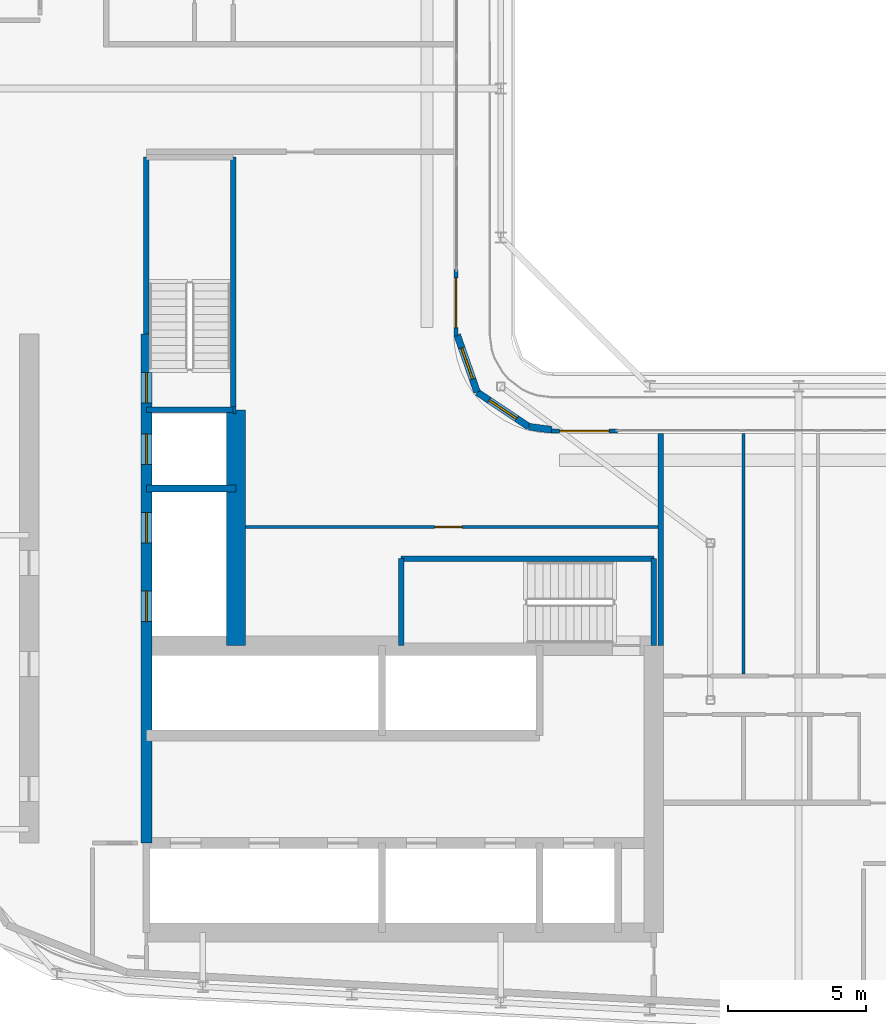
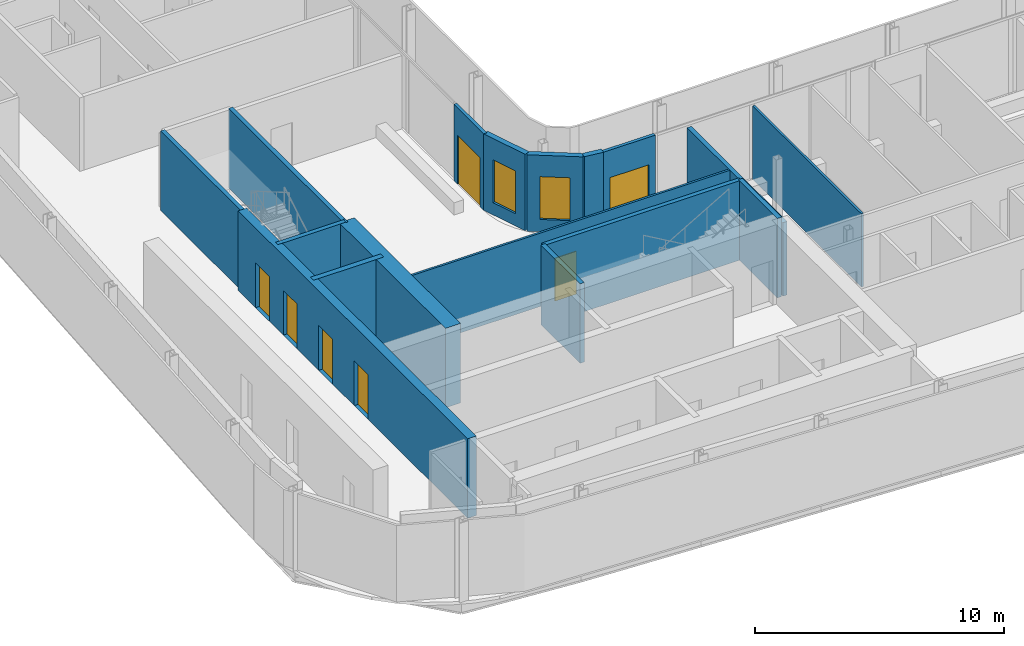
# One storey, part 11 of 23: 18 walls, 7 doors, 2 windows, 9 openings.
"""IFC4 building model written with IfcOpenShell, lengths in metres."""

from ifc_helpers import new_model, si_unit, direction, frame, frame_2d, origin, place, context, subcontext, project, spatial, rectangle, extrude, source, transform, mapped, material, layer, layer_set, type_object, element, fill, save


model = new_model("IFC4")

# Units and contexts
model_context = context("Model", 3, precision=1e-05, world=origin(), true_north=direction((0.0, 1.0)))
body_context = subcontext(model_context, "Body", "Model", "MODEL_VIEW")
ifc_project = project(units=[si_unit("LENGTHUNIT", "METRE"), si_unit("AREAUNIT", "SQUARE_METRE"), si_unit("VOLUMEUNIT", "CUBIC_METRE"), si_unit("PLANEANGLEUNIT", "RADIAN"), si_unit("MASSUNIT", "GRAM", prefix="KILO")], contexts=[model_context])

# Site, building, storey
site_placement = place(None, origin())
site = spatial("IfcSite", under=ifc_project, at=site_placement, CompositionType="ELEMENT")
building_placement = place(site_placement, origin())
building = spatial("IfcBuilding", under=site, at=building_placement, Name="Kheshtan School and Residences Tower", CompositionType="ELEMENT")
storey_placement = place(building_placement, frame((0.0, 0.0, 243.5)))
storey = spatial("IfcBuildingStorey", under=building, at=storey_placement, Name="L57", CompositionType="ELEMENT", Elevation=243.5)

# Wall, openings, doors
ifc_material_1 = material(Name="Concrete C50/60", Category="concrete")
ifc_layer_1 = layer(ifc_material_1, 0.39990234375)
ifc_layer_set_1 = layer_set([ifc_layer_1], Name="Core wall 400 Concrete C50/60")
wall_type_1 = type_object("IfcWallType", Name="Core wall 400 Concrete C50/60", PredefinedType="SHEAR", material=ifc_layer_set_1)
wall_1_placement = place(storey_placement, frame((34.75, 29.050048828125, 0.0), z_axis=(0.0, 0.0, 1.0), x_axis=(0.0, 1.0, 0.0)))
wall_1 = element("IfcWall", 1, at=wall_1_placement, inside=storey, type_object=wall_type_1, Name="Core wall CW-HALL-W1", PredefinedType="SHEAR", context=body_context, shape_type="SweptSolid", body=[
    extrude(rectangle(XDim=18.449951171875, YDim=0.39990234375, at=frame_2d((9.22509765625, 0.0))), origin(), (0.0, 0.0, 1.0), 3.89990234375),
])
opening_1_placement = place(wall_1_placement, frame((8.02490234375, 0.0, 0.0)))
opening_1 = element("IfcOpeningElement", 2, at=opening_1_placement, cuts=wall_1, Name="Opening LD", PredefinedType="OPENING", context=body_context, shape_type="SweptSolid", body=[
    extrude(rectangle(XDim=1.10009765625, YDim=2.199951171875, at=frame_2d((0.550048828125, 1.10009765625))), frame((0.0, 0.2099609375, 0.0), z_axis=(0.0, -1.0, 0.0), x_axis=(1.0, 0.0, 0.0)), (0.0, 0.0, 1.0), 0.419921875),
])
opening_2_placement = place(wall_1_placement, frame((10.875, 0.0, 0.0)))
opening_2 = element("IfcOpeningElement", 3, at=opening_2_placement, cuts=wall_1, Name="Opening LD", PredefinedType="OPENING", context=body_context, shape_type="SweptSolid", body=[
    extrude(rectangle(XDim=1.10009765625, YDim=2.199951171875, at=frame_2d((0.550048828125, 1.10009765625))), frame((0.0, 0.2099609375, 0.0), z_axis=(0.0, -1.0, 0.0), x_axis=(1.0, 0.0, 0.0)), (0.0, 0.0, 1.0), 0.419921875),
])
opening_3_placement = place(wall_1_placement, frame((13.72509765625, 0.0, 0.0)))
opening_3 = element("IfcOpeningElement", 4, at=opening_3_placement, cuts=wall_1, Name="Opening LD", PredefinedType="OPENING", context=body_context, shape_type="SweptSolid", body=[
    extrude(rectangle(XDim=1.10009765625, YDim=2.199951171875, at=frame_2d((0.550048828125, 1.10009765625))), frame((0.0, 0.2099609375, 0.0), z_axis=(0.0, -1.0, 0.0), x_axis=(1.0, 0.0, 0.0)), (0.0, 0.0, 1.0), 0.419921875),
])
opening_4_placement = place(wall_1_placement, frame((15.949951171875, 0.0, 0.0)))
opening_4 = element("IfcOpeningElement", 5, at=opening_4_placement, cuts=wall_1, Name="Opening ST2D", PredefinedType="OPENING", context=body_context, shape_type="SweptSolid", body=[
    extrude(rectangle(XDim=1.10009765625, YDim=2.199951171875, at=frame_2d((0.550048828125, 1.10009765625))), frame((0.0, 0.2099609375, 0.0), z_axis=(0.0, -1.0, 0.0), x_axis=(1.0, 0.0, 0.0)), (0.0, 0.0, 1.0), 0.419921875),
])
ifc_material_2 = material(Name="Stainless steel door leaves", Category="steel")
door_type_1 = type_object("IfcDoorType", Name="Lift landing door 1100", OperationType="SLIDING_TO_LEFT", PredefinedType="DOOR", material=ifc_material_2)
shared_shape_1 = source(origin(), body_context, "Body", "SweptSolid", [
    extrude(rectangle(XDim=1.10009765625, YDim=2.199951171875, at=frame_2d((0.550048828125, 1.10009765625))), frame((0.0, 0.02490234375, 0.0), z_axis=(0.0, -1.0, 0.0), x_axis=(1.0, 0.0, 0.0)), (0.0, 0.0, 1.0), 0.050048828125),
])
door_1_placement = place(opening_1_placement, origin())
door_1 = element("IfcDoor", 6, at=door_1_placement, inside=storey, type_object=door_type_1, Name="Lift SV1 landing door", OperationType="SLIDING_TO_LEFT", OverallHeight=2.199951171875, OverallWidth=1.10009765625, PredefinedType="DOOR", context=body_context, shape_type="MappedRepresentation", body=[
    mapped(shared_shape_1, transform((0.0, 0.0, 0.0), x_axis=(1.0, 0.0, 0.0), y_axis=(0.0, 1.0, 0.0), z_axis=(0.0, 0.0, 1.0), scale=1.0)),
])
fill(opening_1, door_1)
door_2_placement = place(opening_2_placement, origin())
door_2 = element("IfcDoor", 7, at=door_2_placement, inside=storey, type_object=door_type_1, Name="Lift SV2 landing door", OperationType="SLIDING_TO_LEFT", OverallHeight=2.199951171875, OverallWidth=1.10009765625, PredefinedType="DOOR", context=body_context, shape_type="MappedRepresentation", body=[
    mapped(shared_shape_1, transform((0.0, 0.0, 0.0), x_axis=(1.0, 0.0, 0.0), y_axis=(0.0, 1.0, 0.0), z_axis=(0.0, 0.0, 1.0), scale=1.0)),
])
fill(opening_2, door_2)
door_3_placement = place(opening_3_placement, origin())
door_3 = element("IfcDoor", 8, at=door_3_placement, inside=storey, type_object=door_type_1, Name="Lift FFL1 landing door", OperationType="SLIDING_TO_LEFT", OverallHeight=2.199951171875, OverallWidth=1.10009765625, PredefinedType="DOOR", context=body_context, shape_type="MappedRepresentation", body=[
    mapped(shared_shape_1, transform((0.0, 0.0, 0.0), x_axis=(1.0, 0.0, 0.0), y_axis=(0.0, 1.0, 0.0), z_axis=(0.0, 0.0, 1.0), scale=1.0)),
])
fill(opening_3, door_3)
ifc_material_3 = material(Name="Steel door leaf, galvanised", Category="steel")
door_type_2 = type_object("IfcDoorType", Name="Stair door 1100 steel 90 min", OperationType="SINGLE_SWING_LEFT", PredefinedType="DOOR", material=ifc_material_3)
shared_shape_2 = source(origin(), body_context, "Body", "SweptSolid", [
    extrude(rectangle(XDim=1.10009765625, YDim=2.199951171875, at=frame_2d((0.550048828125, 1.10009765625))), frame((0.0, 0.02490234375, 0.0), z_axis=(0.0, -1.0, 0.0), x_axis=(1.0, 0.0, 0.0)), (0.0, 0.0, 1.0), 0.050048828125),
])
door_4_placement = place(opening_4_placement, origin())
door_4 = element("IfcDoor", 9, at=door_4_placement, inside=storey, type_object=door_type_2, Name="Stair ST2 door", OperationType="SINGLE_SWING_RIGHT", OverallHeight=2.199951171875, OverallWidth=1.10009765625, PredefinedType="DOOR", context=body_context, shape_type="MappedRepresentation", body=[
    mapped(shared_shape_2, transform((0.0, 0.0, 0.0), x_axis=(1.0, 0.0, 0.0), y_axis=(0.0, 1.0, 0.0), z_axis=(0.0, 0.0, 1.0), scale=1.0)),
])
fill(opening_4, door_4)

# Wall
ifc_material_4 = material(Name="Concrete C70/85", Category="concrete")
ifc_layer_2 = layer(ifc_material_4, 0.699951171875)
ifc_layer_set_2 = layer_set([ifc_layer_2], Name="Core wall 700 Concrete C70/85")
wall_type_2 = type_object("IfcWallType", Name="Core wall 700 Concrete C70/85", PredefinedType="SHEAR", material=ifc_layer_set_2)
wall_2_placement = place(storey_placement, frame((38.0, 36.199951171875, 0.0), z_axis=(0.0, 0.0, 1.0), x_axis=(0.0, 1.0, 0.0)))
element("IfcWall", 10, at=wall_2_placement, inside=storey, type_object=wall_type_2, Name="Core wall CW-FRONT-W", PredefinedType="SHEAR", context=body_context, shape_type="SweptSolid", body=[
    extrude(rectangle(XDim=8.550048828125, YDim=0.699951171875, at=frame_2d((4.27490234375, 0.0))), origin(), (0.0, 0.0, 1.0), 3.89990234375),
])

# Wall, opening, window
ifc_material_5 = material(Name="Concrete C40/50 with ceramic cladding and mineral wool insulation", Category="concrete")
ifc_layer_3 = layer(ifc_material_5, 0.25)
ifc_layer_set_3 = layer_set([ifc_layer_3], Name="External wall 250 ceramic clad")
wall_type_3 = type_object("IfcWallType", Name="External wall 250 ceramic clad", PredefinedType="SOLIDWALL", material=ifc_layer_set_3)
wall_3_placement = place(storey_placement, frame((46.01806640625, 47.470947265625, 0.0), z_axis=(0.0, 0.0, 1.0), x_axis=(0.328791208903, -0.944402637093, 0.0)))
wall_3 = element("IfcWall", 11, at=wall_3_placement, inside=storey, type_object=wall_type_3, Name="External wall L57 9", PredefinedType="SOLIDWALL", context=body_context, shape_type="SweptSolid", body=[
    extrude(rectangle(XDim=2.20458984375, YDim=0.25, at=frame_2d((1.102294921875, 0.0))), origin(), (0.0, 0.0, 1.0), 3.75),
])
opening_5_placement = place(wall_3_placement, frame((0.5029296875, 0.0, 0.60009765625)))
opening_5 = element("IfcOpeningElement", 12, at=opening_5_placement, cuts=wall_3, Name="Opening WN-E", PredefinedType="OPENING", context=body_context, shape_type="SweptSolid", body=[
    extrude(rectangle(XDim=1.199951171875, YDim=2.10009765625, at=frame_2d((0.60009765625, 1.050048828125))), frame((0.0, 0.135009765625, 0.0), z_axis=(0.0, -1.0, 0.0), x_axis=(1.0, 0.0, 0.0)), (0.0, 0.0, 1.0), 0.27001953125),
])
ifc_material_6 = material(Name="Clear low-e glass in thermally broken aluminium frame", Category="aluminium")
window_type = type_object("IfcWindowType", Name="Window WN-E", PartitioningType="SINGLE_PANEL", PredefinedType="WINDOW", material=ifc_material_6)
shared_shape_3 = source(origin(), body_context, "Body", "SweptSolid", [
    extrude(rectangle(XDim=1.199951171875, YDim=2.10009765625, at=frame_2d((0.60009765625, 1.050048828125))), frame((0.0, 0.030029296875, 0.0), z_axis=(0.0, -1.0, 0.0), x_axis=(1.0, 0.0, 0.0)), (0.0, 0.0, 1.0), 0.06005859375),
])
window_1_placement = place(opening_5_placement, origin())
window_1 = element("IfcWindow", 13, at=window_1_placement, inside=storey, type_object=window_type, Name="Window L57 9", OverallHeight=2.10009765625, OverallWidth=1.199951171875, PartitioningType="SINGLE_PANEL", PredefinedType="WINDOW", context=body_context, shape_type="MappedRepresentation", body=[
    mapped(shared_shape_3, transform((0.0, 0.0, 0.0), x_axis=(1.0, 0.0, 0.0), y_axis=(0.0, 1.0, 0.0), z_axis=(0.0, 0.0, 1.0), scale=1.0)),
])
fill(opening_5, window_1)

wall_4_placement = place(storey_placement, frame((46.742919921875, 45.388916015625, 0.0), z_axis=(0.0, 0.0, 1.0), x_axis=(0.831449265529, -0.555600682912, 0.0)))
wall_4 = element("IfcWall", 14, at=wall_4_placement, inside=storey, type_object=wall_type_3, Name="External wall L57 10", PredefinedType="SOLIDWALL", context=body_context, shape_type="SweptSolid", body=[
    extrude(rectangle(XDim=2.25146484375, YDim=0.25, at=frame_2d((1.125732421875, 0.0))), origin(), (0.0, 0.0, 1.0), 3.75),
])
opening_6_placement = place(wall_4_placement, frame((0.52490234375, 0.0, 0.60009765625)))
opening_6 = element("IfcOpeningElement", 15, at=opening_6_placement, cuts=wall_4, Name="Opening WN-E", PredefinedType="OPENING", context=body_context, shape_type="SweptSolid", body=[
    extrude(rectangle(XDim=1.199951171875, YDim=2.10009765625, at=frame_2d((0.60009765625, 1.050048828125))), frame((0.0, 0.135009765625, 0.0), z_axis=(0.0, -1.0, 0.0), x_axis=(1.0, 0.0, 0.0)), (0.0, 0.0, 1.0), 0.27001953125),
])
window_2_placement = place(opening_6_placement, origin())
window_2 = element("IfcWindow", 16, at=window_2_placement, inside=storey, type_object=window_type, Name="Window L57 10", OverallHeight=2.10009765625, OverallWidth=1.199951171875, PartitioningType="SINGLE_PANEL", PredefinedType="WINDOW", context=body_context, shape_type="MappedRepresentation", body=[
    mapped(shared_shape_3, transform((0.0, 0.0, 0.0), x_axis=(1.0, 0.0, 0.0), y_axis=(0.0, 1.0, 0.0), z_axis=(0.0, 0.0, 1.0), scale=1.0)),
])
fill(opening_6, window_2)

# Wall
wall_5_placement = place(storey_placement, frame((48.614990234375, 44.137939453125, 0.0), z_axis=(0.0, 0.0, 1.0), x_axis=(0.990741504246, -0.135761819977, 0.0)))
element("IfcWall", 17, at=wall_5_placement, inside=storey, type_object=wall_type_3, Name="External wall L57 11", PredefinedType="SOLIDWALL", context=body_context, shape_type="SweptSolid", body=[
    extrude(rectangle(XDim=0.83984375, YDim=0.25, at=frame_2d((0.419921875, 0.0))), origin(), (0.0, 0.0, 1.0), 3.75),
])

# Wall, opening, door
ifc_material_7 = material(Name="Aluminium frame wall with insulated infill", Category="aluminium")
ifc_layer_4 = layer(ifc_material_7, 0.14990234375)
ifc_layer_set_4 = layer_set([ifc_layer_4], Name="Glazing frame wall 150")
wall_type_4 = type_object("IfcWallType", Name="Glazing frame wall 150", PredefinedType="SOLIDWALL", material=ifc_layer_set_4)
wall_6_placement = place(storey_placement, frame((45.97509765625, 49.830078125, 0.0), z_axis=(0.0, 0.0, 1.0), x_axis=(0.0, -1.0, 0.0)))
wall_6 = element("IfcWall", 18, at=wall_6_placement, inside=storey, type_object=wall_type_4, Name="Balcony door wall L57 8.5", PredefinedType="SOLIDWALL", context=body_context, shape_type="SweptSolid", body=[
    extrude(rectangle(XDim=2.400146484375, YDim=0.14990234375, at=frame_2d((1.2001953125, 0.0))), origin(), (0.0, 0.0, 1.0), 3.75),
])
opening_7_placement = place(wall_6_placement, frame((0.300048828125, 0.0, 0.0)))
opening_7 = element("IfcOpeningElement", 19, at=opening_7_placement, cuts=wall_6, Name="Opening BD", PredefinedType="OPENING", context=body_context, shape_type="SweptSolid", body=[
    extrude(rectangle(XDim=1.800048828125, YDim=2.39990234375, at=frame_2d((0.89990234375, 1.199951171875))), frame((0.0, 0.0849609375, 0.0), z_axis=(0.0, -1.0, 0.0), x_axis=(1.0, 0.0, 0.0)), (0.0, 0.0, 1.0), 0.169921875),
])
door_type_3 = type_object("IfcDoorType", Name="Balcony sliding door", OperationType="SLIDING_TO_LEFT", PredefinedType="DOOR", material=ifc_material_6)
shared_shape_4 = source(origin(), body_context, "Body", "SweptSolid", [
    extrude(rectangle(XDim=1.800048828125, YDim=2.39990234375, at=frame_2d((0.89990234375, 1.199951171875))), frame((0.0, 0.02490234375, 0.0), z_axis=(0.0, -1.0, 0.0), x_axis=(1.0, 0.0, 0.0)), (0.0, 0.0, 1.0), 0.050048828125),
])
door_5_placement = place(opening_7_placement, origin())
door_5 = element("IfcDoor", 20, at=door_5_placement, inside=storey, type_object=door_type_3, Name="Balcony door L57 8.5", OperationType="SLIDING_TO_LEFT", OverallHeight=2.39990234375, OverallWidth=1.800048828125, PredefinedType="DOOR", context=body_context, shape_type="MappedRepresentation", body=[
    mapped(shared_shape_4, transform((0.0, 0.0, 0.0), x_axis=(1.0, 0.0, 0.0), y_axis=(0.0, 1.0, 0.0), z_axis=(0.0, 0.0, 1.0), scale=1.0)),
])
fill(opening_7, door_5)

wall_7_placement = place(storey_placement, frame((49.429931640625, 43.97509765625, 0.0), z_axis=(0.0, 0.0, 1.0), x_axis=(1.0, 0.0, 0.0)))
wall_7 = element("IfcWall", 21, at=wall_7_placement, inside=storey, type_object=wall_type_4, Name="Balcony door wall L57 12.1", PredefinedType="SOLIDWALL", context=body_context, shape_type="SweptSolid", body=[
    extrude(rectangle(XDim=2.400146484375, YDim=0.14990234375, at=frame_2d((1.2001953125, 0.0))), origin(), (0.0, 0.0, 1.0), 3.75),
])
opening_8_placement = place(wall_7_placement, frame((0.300048828125, 0.0, 0.0)))
opening_8 = element("IfcOpeningElement", 22, at=opening_8_placement, cuts=wall_7, Name="Opening BD", PredefinedType="OPENING", context=body_context, shape_type="SweptSolid", body=[
    extrude(rectangle(XDim=1.800048828125, YDim=2.39990234375, at=frame_2d((0.89990234375, 1.199951171875))), frame((0.0, 0.0849609375, 0.0), z_axis=(0.0, -1.0, 0.0), x_axis=(1.0, 0.0, 0.0)), (0.0, 0.0, 1.0), 0.169921875),
])
door_6_placement = place(opening_8_placement, origin())
door_6 = element("IfcDoor", 23, at=door_6_placement, inside=storey, type_object=door_type_3, Name="Balcony door L57 12.1", OperationType="SLIDING_TO_LEFT", OverallHeight=2.39990234375, OverallWidth=1.800048828125, PredefinedType="DOOR", context=body_context, shape_type="MappedRepresentation", body=[
    mapped(shared_shape_4, transform((0.0, 0.0, 0.0), x_axis=(1.0, 0.0, 0.0), y_axis=(0.0, 1.0, 0.0), z_axis=(0.0, 0.0, 1.0), scale=1.0)),
])
fill(opening_8, door_6)

ifc_material_8 = material(Name="Gypsum board on steel studs", Category="steel")
ifc_layer_5 = layer(ifc_material_8, 0.10009765625)
ifc_layer_set_5 = layer_set([ifc_layer_5], Name="Gypsum partition 100")
wall_type_5 = type_object("IfcWallType", Name="Gypsum partition 100", PredefinedType="PARTITIONING", material=ifc_layer_set_5)
wall_8_placement = place(storey_placement, frame((38.34912109375, 40.5, 0.0), z_axis=(0.0, 0.0, 1.0), x_axis=(1.0, 0.0, 0.0)))
wall_8 = element("IfcWall", 24, at=wall_8_placement, inside=storey, type_object=wall_type_5, Name="Partition L57-032", PredefinedType="PARTITIONING", context=body_context, shape_type="SweptSolid", body=[
    extrude(rectangle(XDim=14.950927734375, YDim=0.10009765625, at=frame_2d((7.4755859375, 0.0))), origin(), (0.0, 0.0, 1.0), 3.60009765625),
])
opening_9_placement = place(wall_8_placement, frame((6.85107421875, 0.0, 0.0)))
opening_9 = element("IfcOpeningElement", 25, at=opening_9_placement, cuts=wall_8, Name="Opening D56-046", PredefinedType="OPENING", context=body_context, shape_type="SweptSolid", body=[
    extrude(rectangle(XDim=1.0, YDim=2.10009765625, at=frame_2d((0.5, 1.050048828125))), frame((0.0, 0.06005859375, 0.0), z_axis=(0.0, -1.0, 0.0), x_axis=(1.0, 0.0, 0.0)), (0.0, 0.0, 1.0), 0.1201171875),
])
ifc_material_9 = material(Name="Veneered timber door leaf", Category="wood")
door_type_4 = type_object("IfcDoorType", Name="Door 1000 x 2100", OperationType="SINGLE_SWING_LEFT", PredefinedType="DOOR", material=ifc_material_9)
shared_shape_5 = source(origin(), body_context, "Body", "SweptSolid", [
    extrude(rectangle(XDim=1.0, YDim=2.10009765625, at=frame_2d((0.5, 1.050048828125))), frame((0.0, 0.02490234375, 0.0), z_axis=(0.0, -1.0, 0.0), x_axis=(1.0, 0.0, 0.0)), (0.0, 0.0, 1.0), 0.050048828125),
])
door_7_placement = place(opening_9_placement, origin())
door_7 = element("IfcDoor", 26, at=door_7_placement, inside=storey, type_object=door_type_4, Name="Door D56-046", OperationType="SINGLE_SWING_RIGHT", OverallHeight=2.10009765625, OverallWidth=1.0, PredefinedType="DOOR", context=body_context, shape_type="MappedRepresentation", body=[
    mapped(shared_shape_5, transform((0.0, 0.0, 0.0), x_axis=(1.0, 0.0, 0.0), y_axis=(0.0, 1.0, 0.0), z_axis=(0.0, 0.0, 1.0), scale=1.0)),
])
fill(opening_9, door_7)

# Walls
wall_9_placement = place(storey_placement, frame((56.39990234375, 35.175048828125, 0.0), z_axis=(0.0, 0.0, 1.0), x_axis=(0.0, 1.0, 0.0)))
element("IfcWall", 27, at=wall_9_placement, inside=storey, type_object=wall_type_5, Name="Partition L57-040", PredefinedType="PARTITIONING", context=body_context, shape_type="SweptSolid", body=[
    extrude(rectangle(XDim=8.724853515625, YDim=0.10009765625, at=frame_2d((4.3623046875, 0.0))), origin(), (0.0, 0.0, 1.0), 3.60009765625),
])
ifc_material_10 = material(Name="Fire-board shaft wall system")
ifc_layer_6 = layer(ifc_material_10, 0.25)
ifc_layer_set_6 = layer_set([ifc_layer_6], Name="Shaft lining wall 250")
wall_type_6 = type_object("IfcWallType", Name="Shaft lining wall 250", PredefinedType="PARTITIONING", material=ifc_layer_set_6)
wall_10_placement = place(storey_placement, frame((34.75, 41.89990234375, 0.0), z_axis=(0.0, 0.0, 1.0), x_axis=(1.0, 0.0, 0.0)))
element("IfcWall", 28, at=wall_10_placement, inside=storey, type_object=wall_type_6, Name="Shaft lining wall", PredefinedType="PARTITIONING", context=body_context, shape_type="SweptSolid", body=[
    extrude(rectangle(XDim=3.25, YDim=0.25, at=frame_2d((1.625, 0.0))), origin(), (0.0, 0.0, 1.0), 3.89990234375),
])
wall_11_placement = place(storey_placement, frame((37.89990234375, 44.75, 0.0), z_axis=(0.0, 0.0, 1.0), x_axis=(1.0, 0.0, 0.0)))
element("IfcWall", 29, at=wall_11_placement, inside=storey, type_object=wall_type_6, Name="Shaft lining wall", PredefinedType="PARTITIONING", context=body_context, shape_type="SweptSolid", body=[
    extrude(rectangle(XDim=0.10009765625, YDim=0.25, at=frame_2d((0.050048828125, 0.0))), origin(), (0.0, 0.0, 1.0), 3.89990234375),
])
ifc_material_11 = material(Name="Concrete C40/50", Category="concrete")
ifc_layer_7 = layer(ifc_material_11, 0.199951171875)
ifc_layer_set_7 = layer_set([ifc_layer_7], Name="Stair enclosure wall 200 Concrete C40/50")
wall_type_7 = type_object("IfcWallType", Name="Stair enclosure wall 200 Concrete C40/50", PredefinedType="SHEAR", material=ifc_layer_set_7)
wall_12_placement = place(storey_placement, frame((43.989990234375, 39.35009765625, 0.0), z_axis=(0.0, 0.0, 1.0), x_axis=(1.0, 0.0, 0.0)))
element("IfcWall", 30, at=wall_12_placement, inside=storey, type_object=wall_type_7, Name="Stair enclosure wall ST1", PredefinedType="SHEAR", context=body_context, shape_type="SweptSolid", body=[
    extrude(rectangle(XDim=9.159912109375, YDim=0.199951171875, at=frame_2d((4.580078125, 0.0))), origin(), (0.0, 0.0, 1.0), 3.89990234375),
])
for number, where, z_axis, x_axis, name in (
    (31, (43.989990234375, 36.199951171875, 0.0), (0.0, 0.0, 1.0), (0.0, 1.0, 0.0), "Stair enclosure wall ST1"),
    (32, (53.14990234375, 36.199951171875, 0.0), (0.0, 0.0, 1.0), (0.0, 1.0, 0.0), "Stair enclosure wall ST1"),
):
    element("IfcWall", number, at=place(storey_placement, frame(where, z_axis=z_axis, x_axis=x_axis)), inside=storey, type_object=wall_type_7, Name=name, PredefinedType="SHEAR", context=body_context, shape_type="SweptSolid", body=[
        extrude(rectangle(XDim=3.150146484375, YDim=0.199951171875, at=frame_2d((1.5751953125, 0.0))), origin(), (0.0, 0.0, 1.0), 3.89990234375),
    ])
wall_13_placement = place(storey_placement, frame((34.75, 44.75, 0.0), z_axis=(0.0, 0.0, 1.0), x_axis=(1.0, 0.0, 0.0)))
element("IfcWall", 33, at=wall_13_placement, inside=storey, type_object=wall_type_7, Name="Stair enclosure wall ST2", PredefinedType="SHEAR", context=body_context, shape_type="SweptSolid", body=[
    extrude(rectangle(XDim=3.14990234375, YDim=0.199951171875, at=frame_2d((1.574951171875, 0.0))), origin(), (0.0, 0.0, 1.0), 3.89990234375),
])
wall_14_placement = place(storey_placement, frame((34.75, 47.5, 0.0), z_axis=(0.0, 0.0, 1.0), x_axis=(0.0, 1.0, 0.0)))
element("IfcWall", 34, at=wall_14_placement, inside=storey, type_object=wall_type_7, Name="Stair enclosure wall ST2", PredefinedType="SHEAR", context=body_context, shape_type="SweptSolid", body=[
    extrude(rectangle(XDim=6.409912109375, YDim=0.199951171875, at=frame_2d((3.205078125, 0.0))), origin(), (0.0, 0.0, 1.0), 3.89990234375),
])
wall_15_placement = place(storey_placement, frame((37.89990234375, 44.75, 0.0), z_axis=(0.0, 0.0, 1.0), x_axis=(0.0, 1.0, 0.0)))
element("IfcWall", 35, at=wall_15_placement, inside=storey, type_object=wall_type_7, Name="Stair enclosure wall ST2", PredefinedType="SHEAR", context=body_context, shape_type="SweptSolid", body=[
    extrude(rectangle(XDim=9.159912109375, YDim=0.199951171875, at=frame_2d((4.580078125, 0.0))), origin(), (0.0, 0.0, 1.0), 3.89990234375),
])
ifc_material_12 = material(Name="Twin gypsum board on steel studs with mineral wool", Category="steel")
ifc_layer_8 = layer(ifc_material_12, 0.199951171875)
ifc_layer_set_8 = layer_set([ifc_layer_8], Name="Unit demising wall 200")
wall_type_8 = type_object("IfcWallType", Name="Unit demising wall 200", PredefinedType="PARTITIONING", material=ifc_layer_set_8)
wall_16_placement = place(storey_placement, frame((53.39990234375, 36.198974609375, 0.0), z_axis=(0.0, 0.0, 1.0), x_axis=(0.0, 1.0, 0.0)))
element("IfcWall", 36, at=wall_16_placement, inside=storey, type_object=wall_type_8, Name="Partition L57-035", PredefinedType="PARTITIONING", context=body_context, shape_type="SweptSolid", body=[
    extrude(rectangle(XDim=7.700927734375, YDim=0.199951171875, at=frame_2d((3.8505859375, 0.0))), origin(), (0.0, 0.0, 1.0), 3.60009765625),
])

save(model, "model.ifc")
